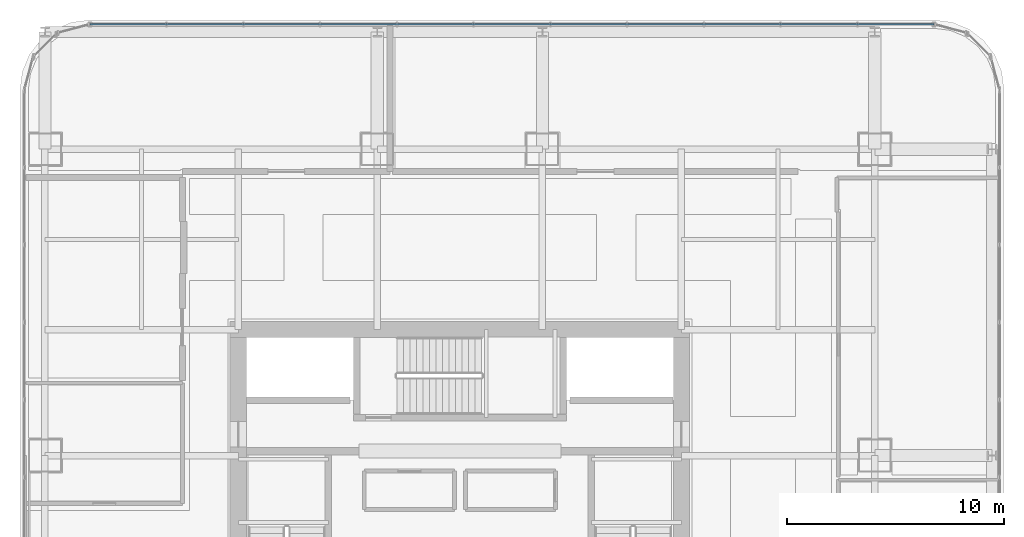
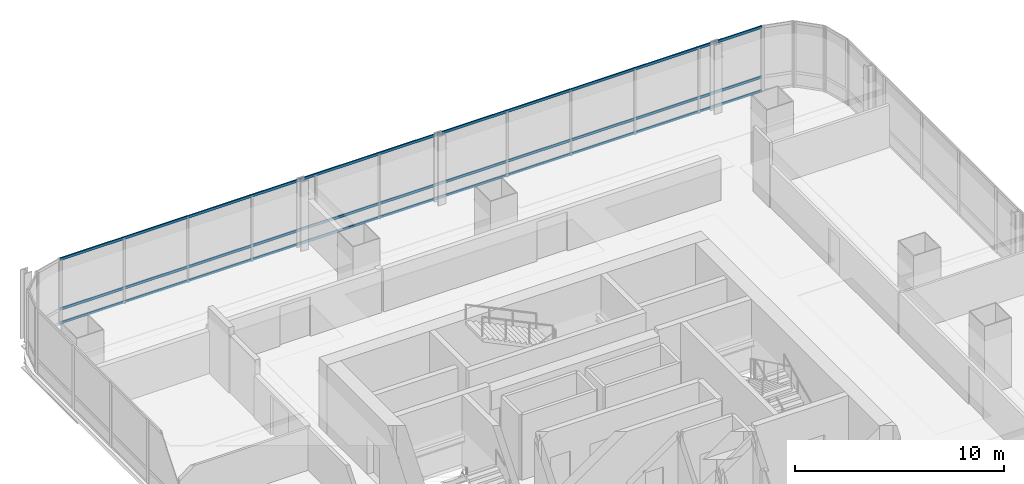
# One storey, part 22 of 34: 3 members, 1 element without a shape of its own.
"""IFC4 building model written with IfcOpenShell, lengths in metres."""

from ifc_helpers import new_model, si_unit, direction, frame, origin, origin_2d, place, context, subcontext, project, spatial, hollow_rectangle, extrude, material, material_profile, profile_set, type_object, element, aggregate, save


model = new_model("IFC4")

# Units and contexts
model_context = context("Model", 3, precision=1e-05, world=origin(), true_north=direction((0.0, 1.0)))
body_context = subcontext(model_context, "Body", "Model", "MODEL_VIEW")
ifc_project = project(units=[si_unit("LENGTHUNIT", "METRE"), si_unit("AREAUNIT", "SQUARE_METRE"), si_unit("VOLUMEUNIT", "CUBIC_METRE"), si_unit("PLANEANGLEUNIT", "RADIAN"), si_unit("MASSUNIT", "GRAM", prefix="KILO")], contexts=[model_context])

# Site, building, storey
site_placement = place(None, origin())
site = spatial("IfcSite", under=ifc_project, at=site_placement, CompositionType="ELEMENT")
building_placement = place(site_placement, origin())
building = spatial("IfcBuilding", under=site, at=building_placement, Name="Punatoya Terracotta Tower", CompositionType="ELEMENT")
storey_placement = place(building_placement, frame((0.0, 0.0, 105.14990234375)))
storey = spatial("IfcBuildingStorey", under=building, at=storey_placement, Name="L24", CompositionType="ELEMENT", Elevation=105.14990234375)

# Curtain wall, members
ifc_material_1 = material(Name="Aluminium 6063-T6 + Double Low-E Glass", Category="aluminium")
curtain_wall_type = type_object("IfcCurtainWallType", Name="CW-M1", PredefinedType="NOTDEFINED", material=ifc_material_1)
curtain_wall_placement = place(storey_placement, origin())
curtain_wall = element("IfcCurtainWall", 1, at=curtain_wall_placement, inside=storey, type_object=curtain_wall_type, Name="L24 Curtain Wall CW-L24-N09-1", PredefinedType="NOTDEFINED")
ifc_material_2 = material(Name="Aluminium 6063-T6", Category="aluminium")
ifc_material_profile = material_profile(ifc_material_2, hollow_rectangle(XDim=0.068115234375, YDim=0.14990234375, WallThickness=0.00390625, at=origin_2d()))
ifc_profile_set = profile_set([ifc_material_profile], Name="Aluminium 6063-T6")
member_type = type_object("IfcMemberType", Name="CW-TRN-TYP", PredefinedType="USERDEFINED", material=ifc_profile_set)
member_1_placement = place(storey_placement, frame((21.8369140625, 23.25, 0.0400390625), z_axis=(-1.0, 0.0, 0.0), x_axis=(0.0, -1.0, 0.0)))
member_1 = element("IfcMember", 2, at=member_1_placement, type_object=member_type, Name="CW-L24-N09-1 Transom 1", ObjectType="TRANSOM", PredefinedType="USERDEFINED", context=body_context, shape_type="SweptSolid", body=[
    extrude(hollow_rectangle(XDim=0.068115234375, YDim=0.14990234375, WallThickness=0.00390625, at=origin_2d()), origin(), (0.0, 0.0, 1.0), 38.873779296875),
])
member_2_placement = place(storey_placement, frame((21.8369140625, 23.25, 0.85009765625), z_axis=(-1.0, 0.0, 0.0), x_axis=(0.0, -1.0, 0.0)))
member_2 = element("IfcMember", 3, at=member_2_placement, type_object=member_type, Name="CW-L24-N09-1 Transom 2", ObjectType="TRANSOM", PredefinedType="USERDEFINED", context=body_context, shape_type="SweptSolid", body=[
    extrude(hollow_rectangle(XDim=0.068115234375, YDim=0.14990234375, WallThickness=0.00390625, at=origin_2d()), origin(), (0.0, 0.0, 1.0), 38.873779296875),
])
member_3_placement = place(storey_placement, frame((21.8369140625, 23.25, 3.77001953125), z_axis=(-1.0, 0.0, 0.0), x_axis=(0.0, -1.0, 0.0)))
member_3 = element("IfcMember", 4, at=member_3_placement, type_object=member_type, Name="CW-L24-N09-1 Transom 3", ObjectType="TRANSOM", PredefinedType="USERDEFINED", context=body_context, shape_type="SweptSolid", body=[
    extrude(hollow_rectangle(XDim=0.068115234375, YDim=0.14990234375, WallThickness=0.00390625, at=origin_2d()), origin(), (0.0, 0.0, 1.0), 38.873779296875),
])
aggregate(curtain_wall, [member_1, member_2, member_3])

save(model, "model.ifc")
